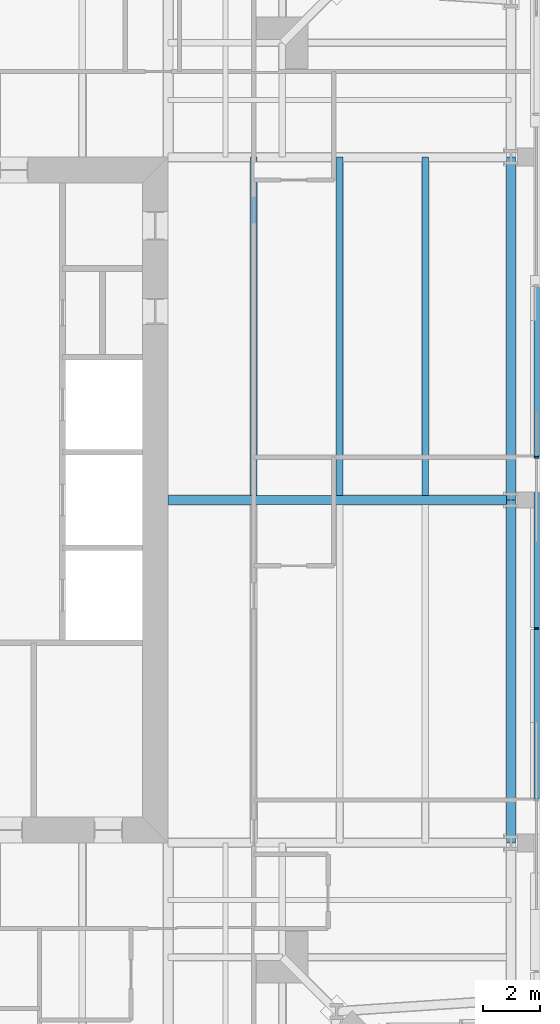
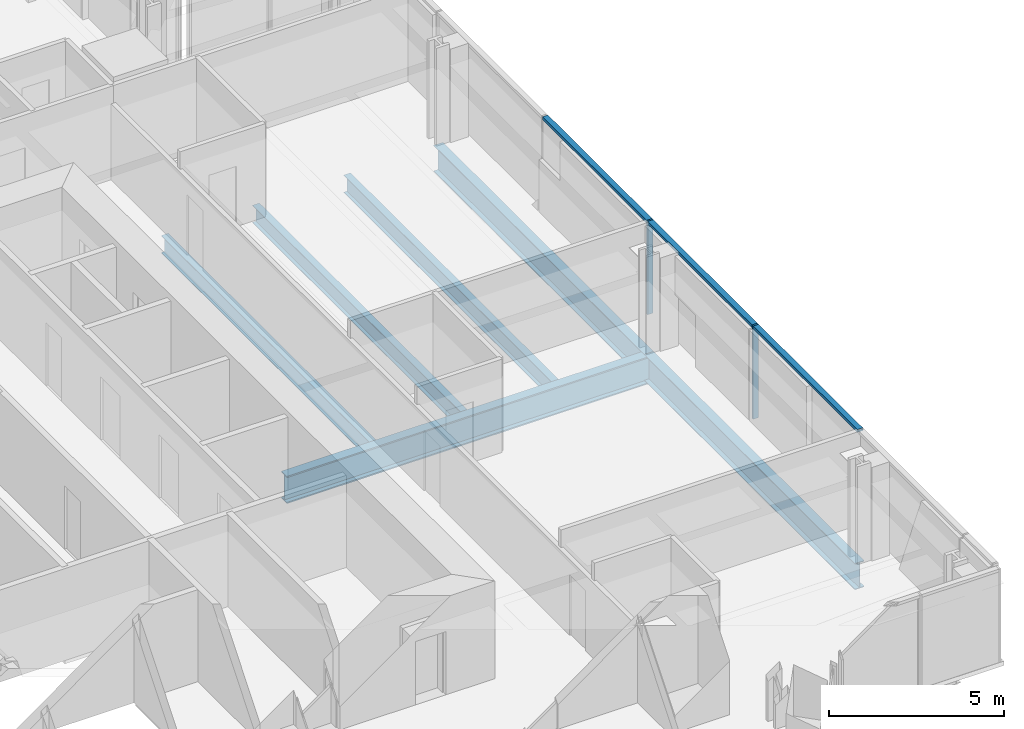
# One storey, part 6 of 20: 6 beams, 5 members, 1 element without a shape of its own.
"""IFC4 building model written with IfcOpenShell, lengths in metres."""

from ifc_helpers import new_model, si_unit, direction, frame, origin, origin_2d, place, context, subcontext, project, spatial, rectangle, i_section, extrude, material, material_profile, profile_set, type_object, element, aggregate, save


model = new_model("IFC4")

# Units and contexts
model_context = context("Model", 3, precision=1e-05, world=origin(), true_north=direction((0.0, 1.0)))
body_context = subcontext(model_context, "Body", "Model", "MODEL_VIEW")
ifc_project = project(units=[si_unit("LENGTHUNIT", "METRE"), si_unit("AREAUNIT", "SQUARE_METRE"), si_unit("VOLUMEUNIT", "CUBIC_METRE"), si_unit("PLANEANGLEUNIT", "RADIAN"), si_unit("MASSUNIT", "GRAM", prefix="KILO")], contexts=[model_context])

# Site, building, storey
site_placement = place(None, origin())
site = spatial("IfcSite", under=ifc_project, at=site_placement, CompositionType="ELEMENT")
building_placement = place(site_placement, origin())
building = spatial("IfcBuilding", under=site, at=building_placement, Name="Fenwick Lantern Interchange", CompositionType="ELEMENT")
storey_placement = place(building_placement, frame((0.0, 0.0, 276.39990234375)))
storey = spatial("IfcBuildingStorey", under=building, at=storey_placement, Name="L66", CompositionType="ELEMENT", Elevation=276.39990234375)

# Beams
ifc_material_1 = material(Name="Steel ASTM A992 Grade 50", Category="steel")
ifc_material_profile_1 = material_profile(ifc_material_1, i_section(OverallWidth=0.3046875, OverallDepth=0.911865234375, WebThickness=0.015869140625, FlangeThickness=0.02392578125, at=origin_2d()), Name="W36X150")
ifc_profile_set_1 = profile_set([ifc_material_profile_1], Name="Steel ASTM A992 Grade 50")
beam_type_1 = type_object("IfcBeamType", Name="EDGE BEAM W36X150", PredefinedType="SPANDREL", material=ifc_profile_set_1)
for number, where, z_axis, x_axis, name in (
    (1, (49.0, 13.0, -0.605712890625), (0.0, 1.0, 0.0), (-1.0, 0.0, 0.0), "L66/FR/E/EB2"),
    (2, (49.0, 25.0, -0.605712890625), (0.0, 1.0, 0.0), (-1.0, 0.0, 0.0), "L66/FR/E/EB3"),
):
    element("IfcBeam", number, at=place(storey_placement, frame(where, z_axis=z_axis, x_axis=x_axis)), inside=storey, type_object=beam_type_1, Name=name, PredefinedType="SPANDREL", context=body_context, shape_type="SweptSolid", body=[
        extrude(i_section(OverallWidth=0.3046875, OverallDepth=0.911865234375, WebThickness=0.015869140625, FlangeThickness=0.02392578125, at=origin_2d()), origin(), (0.0, 0.0, 1.0), 12.0),
    ])
ifc_material_profile_2 = material_profile(ifc_material_1, i_section(OverallWidth=0.22900390625, OverallDepth=0.612060546875, WebThickness=0.011962890625, FlangeThickness=0.01953125, at=origin_2d()), Name="W24X84")
ifc_profile_set_2 = profile_set([ifc_material_profile_2], Name="Steel ASTM A992 Grade 50")
beam_type_2 = type_object("IfcBeamType", Name="FLOOR BEAM W24X84", PredefinedType="BEAM", material=ifc_profile_set_2)
for number, where, z_axis, x_axis, name in (
    (3, (46.0, 25.155029296875, -0.4560546875), (0.0, 1.0, 0.0), (-1.0, 0.0, 0.0), "L66/FR/E/B04"),
    (4, (43.0, 25.155029296875, -0.4560546875), (0.0, 1.0, 0.0), (-1.0, 0.0, 0.0), "L66/FR/E/B05"),
    (5, (40.0, 25.155029296875, -0.4560546875), (0.0, 1.0, 0.0), (-1.0, 0.0, 0.0), "L66/FR/E/B06"),
):
    element("IfcBeam", number, at=place(storey_placement, frame(where, z_axis=z_axis, x_axis=x_axis)), inside=storey, type_object=beam_type_2, Name=name, PredefinedType="BEAM", context=body_context, shape_type="SweptSolid", body=[
        extrude(i_section(OverallWidth=0.22900390625, OverallDepth=0.612060546875, WebThickness=0.011962890625, FlangeThickness=0.01953125, at=origin_2d()), origin(), (0.0, 0.0, 1.0), 11.844970703125),
    ])

# Curtain wall, members
ifc_material_2 = material(Name="Aluminium curtain wall frame", Category="aluminium")
curtain_wall_type = type_object("IfcCurtainWallType", Name="HOTEL CURTAIN WALL", PredefinedType="USERDEFINED", material=ifc_material_2)
curtain_wall_placement = place(storey_placement, origin())
curtain_wall = element("IfcCurtainWall", 6, at=curtain_wall_placement, inside=storey, type_object=curtain_wall_type, Name="Hotel curtain wall 05", ObjectType="HOTEL CURTAIN WALL", PredefinedType="USERDEFINED")
ifc_material_3 = material(Name="Aluminium extrusion", Category="aluminium")
ifc_material_profile_3 = material_profile(ifc_material_3, rectangle(XDim=0.179931640625, YDim=0.06005859375, at=origin_2d()), Name="HOTEL CURTAIN WALL MULLION 60 X 180")
ifc_profile_set_3 = profile_set([ifc_material_profile_3], Name="Aluminium extrusion")
member_type_1 = type_object("IfcMemberType", Name="HOTEL CURTAIN WALL MULLION 60 X 180", PredefinedType="MULLION", material=ifc_profile_set_3)
member_1_placement = place(storey_placement, frame((49.89990234375, 20.5, 0.0), z_axis=(0.0, 0.0, 1.0), x_axis=(-1.0, 0.0, 0.0)))
member_1 = element("IfcMember", 7, at=member_1_placement, type_object=member_type_1, Name="L66/CW/05/M03", PredefinedType="MULLION", context=body_context, shape_type="SweptSolid", body=[
    extrude(rectangle(XDim=0.179931640625, YDim=0.06005859375, at=origin_2d()), origin(), (0.0, 0.0, 1.0), 3.25),
])
member_2_placement = place(storey_placement, frame((49.89990234375, 26.5, 0.0), z_axis=(0.0, 0.0, 1.0), x_axis=(-1.0, 0.0, 0.0)))
member_2 = element("IfcMember", 8, at=member_2_placement, type_object=member_type_1, Name="L66/CW/05/M04", PredefinedType="MULLION", context=body_context, shape_type="SweptSolid", body=[
    extrude(rectangle(XDim=0.179931640625, YDim=0.06005859375, at=origin_2d()), origin(), (0.0, 0.0, 1.0), 3.25),
])
ifc_material_profile_4 = material_profile(ifc_material_3, rectangle(XDim=0.179931640625, YDim=0.10009765625, at=origin_2d()), Name="HOTEL CURTAIN WALL TRANSOM 100 X 180")
ifc_profile_set_4 = profile_set([ifc_material_profile_4], Name="Aluminium extrusion")
member_type_2 = type_object("IfcMemberType", Name="HOTEL CURTAIN WALL TRANSOM 100 X 180", PredefinedType="MULLION", material=ifc_profile_set_4)
member_3_placement = place(storey_placement, frame((49.89990234375, 14.530029296875, 3.2001953125), z_axis=(0.0, 1.0, 0.0), x_axis=(-1.0, 0.0, 0.0)))
member_3 = element("IfcMember", 9, at=member_3_placement, type_object=member_type_2, Name="L66/CW/05/T02", PredefinedType="MULLION", context=body_context, shape_type="SweptSolid", body=[
    extrude(rectangle(XDim=0.179931640625, YDim=0.10009765625, at=origin_2d()), origin(), (0.0, 0.0, 1.0), 5.93994140625),
])
member_4_placement = place(storey_placement, frame((49.89990234375, 20.530029296875, 3.2001953125), z_axis=(0.0, 1.0, 0.0), x_axis=(-1.0, 0.0, 0.0)))
member_4 = element("IfcMember", 10, at=member_4_placement, type_object=member_type_2, Name="L66/CW/05/T03", PredefinedType="MULLION", context=body_context, shape_type="SweptSolid", body=[
    extrude(rectangle(XDim=0.179931640625, YDim=0.10009765625, at=origin_2d()), origin(), (0.0, 0.0, 1.0), 5.93994140625),
])
member_5_placement = place(storey_placement, frame((49.89990234375, 26.530029296875, 3.2001953125), z_axis=(0.0, 1.0, 0.0), x_axis=(-1.0, 0.0, 0.0)))
member_5 = element("IfcMember", 11, at=member_5_placement, type_object=member_type_2, Name="L66/CW/05/T04", PredefinedType="MULLION", context=body_context, shape_type="SweptSolid", body=[
    extrude(rectangle(XDim=0.179931640625, YDim=0.10009765625, at=origin_2d()), origin(), (0.0, 0.0, 1.0), 5.93994140625),
])
aggregate(curtain_wall, [member_1, member_2, member_3, member_4, member_5])

# Beam
ifc_material_profile_5 = material_profile(ifc_material_1, i_section(OverallWidth=0.309814453125, OverallDepth=0.949951171875, WebThickness=0.0244140625, FlangeThickness=0.0439453125, at=origin_2d()), Name="W36X256")
ifc_profile_set_5 = profile_set([ifc_material_profile_5], Name="Steel ASTM A992 Grade 50")
beam_type_3 = type_object("IfcBeamType", Name="MOMENT-CONNECTED GIRDER W36X256", PredefinedType="BEAM", material=ifc_profile_set_5)
beam_placement = place(storey_placement, frame((49.0, 25.0, -0.625), z_axis=(-1.0, 0.0, 0.0), x_axis=(0.0, -1.0, 0.0)))
element("IfcBeam", 12, at=beam_placement, inside=storey, type_object=beam_type_3, Name="L66/FR/E/R02", PredefinedType="BEAM", context=body_context, shape_type="SweptSolid", body=[
    extrude(i_section(OverallWidth=0.309814453125, OverallDepth=0.949951171875, WebThickness=0.0244140625, FlangeThickness=0.0439453125, at=origin_2d()), origin(), (0.0, 0.0, 1.0), 12.0),
])

save(model, "model.ifc")
